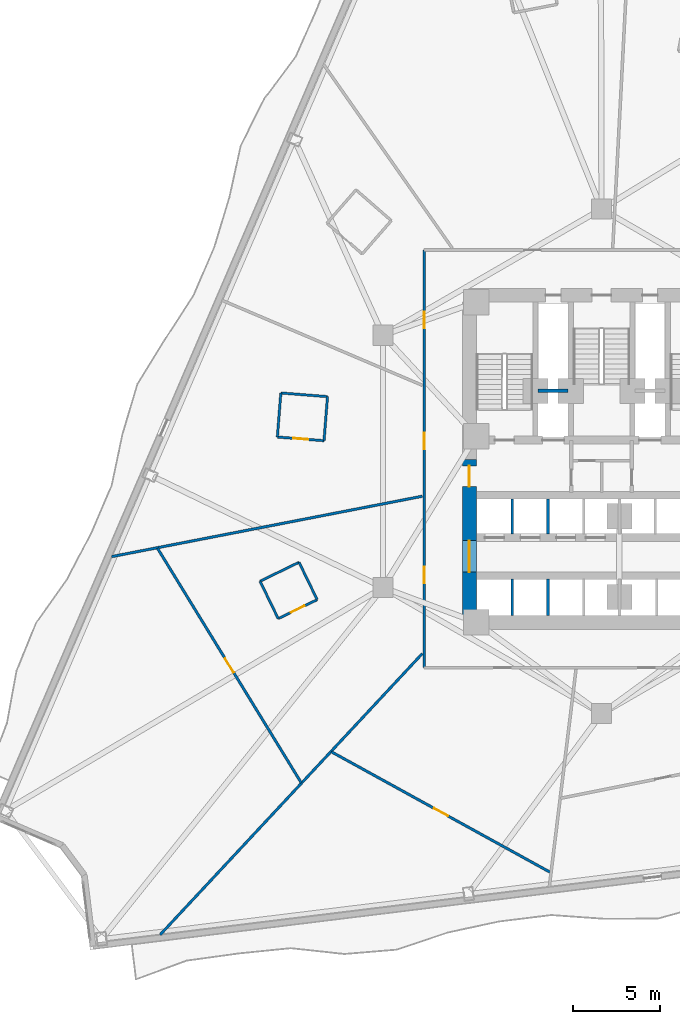
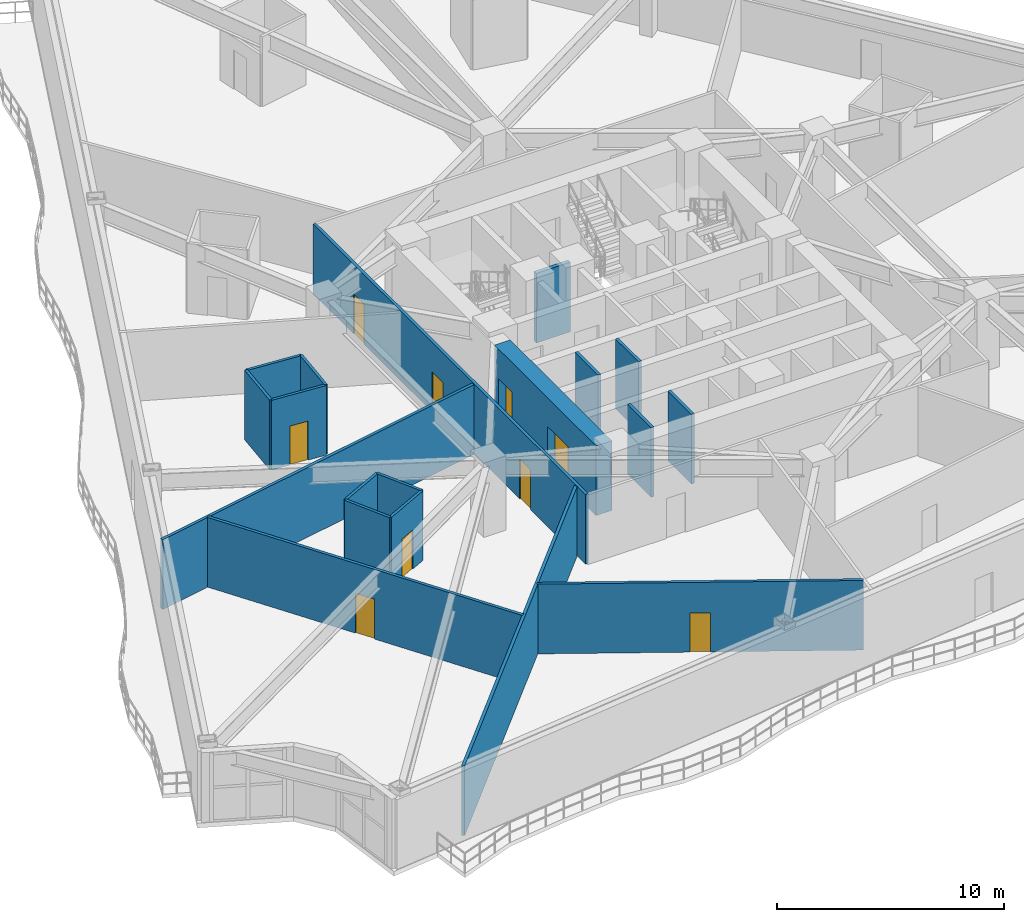
# One storey, part 7 of 17: 19 walls, 9 doors, 9 openings.
"""IFC4 building model written with IfcOpenShell, lengths in metres."""

from ifc_helpers import new_model, si_unit, direction, frame, frame_2d, origin, place, context, subcontext, project, spatial, rectangle, extrude, material, layer, layer_set, type_object, element, fill, save


model = new_model("IFC4")

# Units and contexts
model_context = context("Model", 3, precision=1e-05, world=origin(), true_north=direction((0.0, 1.0)))
body_context = subcontext(model_context, "Body", "Model", "MODEL_VIEW")
ifc_project = project(units=[si_unit("LENGTHUNIT", "METRE"), si_unit("AREAUNIT", "SQUARE_METRE"), si_unit("VOLUMEUNIT", "CUBIC_METRE"), si_unit("PLANEANGLEUNIT", "RADIAN"), si_unit("MASSUNIT", "GRAM", prefix="KILO")], contexts=[model_context])

# Site, building, storey
site_placement = place(None, origin())
site = spatial("IfcSite", under=ifc_project, at=site_placement, CompositionType="ELEMENT")
building_placement = place(site_placement, origin())
building = spatial("IfcBuilding", under=site, at=building_placement, Name="Apsidion Concourse Tower", CompositionType="ELEMENT")
storey_placement = place(building_placement, frame((0.0, 0.0, 75.0)))
storey = spatial("IfcBuildingStorey", under=building, at=storey_placement, Name="L16", CompositionType="ELEMENT", Elevation=75.0)

# Walls
ifc_material_1 = material(Name="Gypsum plasterboard partition")
ifc_layer_1 = layer(ifc_material_1, 0.139892578125)
ifc_layer_set_1 = layer_set([ifc_layer_1], Name="Gypsum plasterboard partition")
wall_type_1 = type_object("IfcWallType", Name="WL-INT-PAR-140", PredefinedType="PARTITIONING", material=ifc_layer_set_1)
wall_1_placement = place(storey_placement, frame((-17.38671875, -5.79833984375, 0.0), z_axis=(0.0, 0.0, 1.0), x_axis=(-0.899563196536, -0.436790631125, 0.0)))
element("IfcWall", 1, at=wall_1_placement, inside=storey, type_object=wall_type_1, Name="L16 Interior Partition WL-L16-POD-HKAWC-S1", PredefinedType="PARTITIONING", context=body_context, shape_type="SweptSolid", body=[
    extrude(rectangle(XDim=2.489990234375, YDim=0.139892578125, at=frame_2d((1.2451171875, 0.0))), origin(), (0.0, 0.0, 1.0), 3.75),
])
wall_2_placement = place(storey_placement, frame((-19.626708984375, -6.885986328125, 0.0), z_axis=(0.0, 0.0, 1.0), x_axis=(0.43680477619, -0.899556328141, 0.0)))
element("IfcWall", 2, at=wall_2_placement, inside=storey, type_object=wall_type_1, Name="L16 Interior Partition WL-L16-POD-HKAWC-S2", PredefinedType="PARTITIONING", context=body_context, shape_type="SweptSolid", body=[
    extrude(rectangle(XDim=2.389892578125, YDim=0.139892578125, at=frame_2d((1.19482421875, 0.0))), origin(), (0.0, 0.0, 1.0), 3.75),
])

# Wall, opening, door
wall_3_placement = place(storey_placement, frame((-18.582763671875, -9.035888671875, 0.0), z_axis=(0.0, 0.0, 1.0), x_axis=(0.899563196536, 0.436790631125, 0.0)))
wall_3 = element("IfcWall", 3, at=wall_3_placement, inside=storey, type_object=wall_type_1, Name="L16 Interior Partition WL-L16-POD-HKAWC-S3", PredefinedType="PARTITIONING", context=body_context, shape_type="SweptSolid", body=[
    extrude(rectangle(XDim=2.489990234375, YDim=0.139892578125, at=frame_2d((1.2451171875, 0.0))), origin(), (0.0, 0.0, 1.0), 3.75),
])
opening_1_placement = place(wall_3_placement, frame((0.804931640625, 0.0, 0.0)))
opening_1 = element("IfcOpeningElement", 4, at=opening_1_placement, cuts=wall_3, Name="Opening D-03L", PredefinedType="OPENING", context=body_context, shape_type="SweptSolid", body=[
    extrude(rectangle(XDim=0.8798828125, YDim=2.10009765625, at=frame_2d((0.43994140625, 1.050048828125))), frame((0.0, 0.080078125, 0.0), z_axis=(0.0, -1.0, 0.0), x_axis=(1.0, 0.0, 0.0)), (0.0, 0.0, 1.0), 0.159912109375),
])
ifc_material_2 = material(Name="Anodised aluminium EN AW-6063 T6", Category="aluminium")
door_type_1 = type_object("IfcDoorType", Name="DR-INT-D03L", OperationType="SINGLE_SWING_LEFT", PredefinedType="DOOR", material=ifc_material_2)
door_1_placement = place(opening_1_placement, origin())
door_1 = element("IfcDoor", 5, at=door_1_placement, inside=storey, type_object=door_type_1, Name="L16 Hotel Accessible WC Door HKAWC", OperationType="SINGLE_SWING_LEFT", OverallHeight=2.10009765625, OverallWidth=0.8798828125, PredefinedType="DOOR", context=body_context, shape_type="SweptSolid", body=[
    extrude(rectangle(XDim=0.8798828125, YDim=2.10009765625, at=frame_2d((0.43994140625, 1.050048828125))), frame((0.0, 0.02490234375, 0.0), z_axis=(0.0, -1.0, 0.0), x_axis=(1.0, 0.0, 0.0)), (0.0, 0.0, 1.0), 0.050048828125),
])
fill(opening_1, door_1)

# Walls
wall_4_placement = place(storey_placement, frame((-16.3427734375, -7.9482421875, 0.0), z_axis=(0.0, 0.0, 1.0), x_axis=(-0.43680477619, 0.899556328141, 0.0)))
element("IfcWall", 6, at=wall_4_placement, inside=storey, type_object=wall_type_1, Name="L16 Interior Partition WL-L16-POD-HKAWC-S4", PredefinedType="PARTITIONING", context=body_context, shape_type="SweptSolid", body=[
    extrude(rectangle(XDim=2.389892578125, YDim=0.139892578125, at=frame_2d((1.19482421875, 0.0))), origin(), (0.0, 0.0, 1.0), 3.75),
])
wall_5_placement = place(storey_placement, frame((-15.7509765625, 3.7216796875, 0.0), z_axis=(0.0, 0.0, 1.0), x_axis=(-0.996920595241, 0.078417643326, 0.0)))
element("IfcWall", 7, at=wall_5_placement, inside=storey, type_object=wall_type_1, Name="L16 Interior Partition WL-L16-POD-ENS09-S1", PredefinedType="PARTITIONING", context=body_context, shape_type="SweptSolid", body=[
    extrude(rectangle(XDim=2.68994140625, YDim=0.139892578125, at=frame_2d((1.344970703125, 0.0))), origin(), (0.0, 0.0, 1.0), 3.75),
])
wall_6_placement = place(storey_placement, frame((-18.4326171875, 3.9326171875, 0.0), z_axis=(0.0, 0.0, 1.0), x_axis=(-0.078526525655, -0.996912024588, 0.0)))
element("IfcWall", 8, at=wall_6_placement, inside=storey, type_object=wall_type_1, Name="L16 Interior Partition WL-L16-POD-ENS09-S2", PredefinedType="PARTITIONING", context=body_context, shape_type="SweptSolid", body=[
    extrude(rectangle(XDim=2.5400390625, YDim=0.139892578125, at=frame_2d((1.27001953125, 0.0))), origin(), (0.0, 0.0, 1.0), 3.75),
])

# Wall, opening, door
wall_7_placement = place(storey_placement, frame((-18.632080078125, 1.400390625, 0.0), z_axis=(0.0, 0.0, 1.0), x_axis=(0.996921153285, -0.078410548606, 0.0)))
wall_7 = element("IfcWall", 9, at=wall_7_placement, inside=storey, type_object=wall_type_1, Name="L16 Interior Partition WL-L16-POD-ENS09-S3", PredefinedType="PARTITIONING", context=body_context, shape_type="SweptSolid", body=[
    extrude(rectangle(XDim=2.690185546875, YDim=0.139892578125, at=frame_2d((1.34521484375, 0.0))), origin(), (0.0, 0.0, 1.0), 3.75),
])
opening_2_placement = place(wall_7_placement, frame((0.905029296875, 0.0, 0.0)))
opening_2 = element("IfcOpeningElement", 10, at=opening_2_placement, cuts=wall_7, Name="Opening D-03R", PredefinedType="OPENING", context=body_context, shape_type="SweptSolid", body=[
    extrude(rectangle(XDim=0.8798828125, YDim=2.10009765625, at=frame_2d((0.43994140625, 1.050048828125))), frame((0.0, 0.080078125, 0.0), z_axis=(0.0, -1.0, 0.0), x_axis=(1.0, 0.0, 0.0)), (0.0, 0.0, 1.0), 0.159912109375),
])
door_type_2 = type_object("IfcDoorType", Name="DR-INT-D03R", OperationType="SINGLE_SWING_RIGHT", PredefinedType="DOOR", material=ifc_material_2)
door_2_placement = place(opening_2_placement, origin())
door_2 = element("IfcDoor", 11, at=door_2_placement, inside=storey, type_object=door_type_2, Name="L16 Guest En-Suite Bathroom Door ENS09", OperationType="SINGLE_SWING_RIGHT", OverallHeight=2.10009765625, OverallWidth=0.8798828125, PredefinedType="DOOR", context=body_context, shape_type="SweptSolid", body=[
    extrude(rectangle(XDim=0.8798828125, YDim=2.10009765625, at=frame_2d((0.43994140625, 1.050048828125))), frame((0.0, 0.02490234375, 0.0), z_axis=(0.0, -1.0, 0.0), x_axis=(1.0, 0.0, 0.0)), (0.0, 0.0, 1.0), 0.050048828125),
])
fill(opening_2, door_2)

# Walls
wall_8_placement = place(storey_placement, frame((-15.9501953125, 1.189453125, 0.0), z_axis=(0.0, 0.0, 1.0), x_axis=(0.078431001564, 0.996919544393, 0.0)))
element("IfcWall", 12, at=wall_8_placement, inside=storey, type_object=wall_type_1, Name="L16 Interior Partition WL-L16-POD-ENS09-S4", PredefinedType="PARTITIONING", context=body_context, shape_type="SweptSolid", body=[
    extrude(rectangle(XDim=2.5400390625, YDim=0.139892578125, at=frame_2d((1.27001953125, 0.0))), origin(), (0.0, 0.0, 1.0), 3.75),
])
ifc_layer_2 = layer(ifc_material_1, 0.14990234375)
ifc_layer_set_2 = layer_set([ifc_layer_2], Name="Gypsum plasterboard partition")
wall_type_2 = type_object("IfcWallType", Name="WL-INT-PAR-150", PredefinedType="PARTITIONING", material=ifc_layer_set_2)
for number, where, z_axis, x_axis, name in (
    (13, (-5.125, -4.179931640625, 0.0), (0.0, 0.0, 1.0), (0.0, 1.0, 0.0), "L16 Interior Partition WL-L16-B1DIV-1"),
    (14, (-3.074951171875, -4.179931640625, 0.0), (0.0, 0.0, 1.0), (0.0, 1.0, 0.0), "L16 Interior Partition WL-L16-B1DIV-2"),
):
    element("IfcWall", number, at=place(storey_placement, frame(where, z_axis=z_axis, x_axis=x_axis)), inside=storey, type_object=wall_type_2, Name=name, PredefinedType="PARTITIONING", context=body_context, shape_type="SweptSolid", body=[
        extrude(rectangle(XDim=2.030029296875, YDim=0.14990234375, at=frame_2d((1.01513671875, 0.0))), origin(), (0.0, 0.0, 1.0), 3.75),
    ])
for number, where, z_axis, x_axis, name in (
    (15, (-5.125, -8.85009765625, 0.0), (0.0, 0.0, 1.0), (0.0, 1.0, 0.0), "L16 Interior Partition WL-L16-B2DIV-1"),
    (16, (-3.074951171875, -8.85009765625, 0.0), (0.0, 0.0, 1.0), (0.0, 1.0, 0.0), "L16 Interior Partition WL-L16-B2DIV-2"),
):
    element("IfcWall", number, at=place(storey_placement, frame(where, z_axis=z_axis, x_axis=x_axis)), inside=storey, type_object=wall_type_2, Name=name, PredefinedType="PARTITIONING", context=body_context, shape_type="SweptSolid", body=[
        extrude(rectangle(XDim=2.080078125, YDim=0.14990234375, at=frame_2d((1.0400390625, 0.0))), origin(), (0.0, 0.0, 1.0), 3.75),
    ])

# Wall, openings, doors
wall_9_placement = place(storey_placement, frame((-10.199951171875, -11.85009765625, 0.0), z_axis=(0.0, 0.0, 1.0), x_axis=(0.0, 1.0, 0.0)))
wall_9 = element("IfcWall", 17, at=wall_9_placement, inside=storey, type_object=wall_type_2, Name="L16 Interior Partition WL-L16-CORR-04", PredefinedType="PARTITIONING", context=body_context, shape_type="SweptSolid", body=[
    extrude(rectangle(XDim=24.0, YDim=0.14990234375, at=frame_2d((12.0, 0.0))), origin(), (0.0, 0.0, 1.0), 3.75),
])
opening_3_placement = place(wall_9_placement, frame((4.838623046875, 0.0, 0.0)))
opening_3 = element("IfcOpeningElement", 18, at=opening_3_placement, cuts=wall_9, Name="Opening D-01L", PredefinedType="OPENING", context=body_context, shape_type="SweptSolid", body=[
    extrude(rectangle(XDim=0.949951171875, YDim=2.14990234375, at=frame_2d((0.47509765625, 1.074951171875))), frame((0.0, 0.0849609375, 0.0), z_axis=(0.0, -1.0, 0.0), x_axis=(1.0, 0.0, 0.0)), (0.0, 0.0, 1.0), 0.169921875),
])
opening_4_placement = place(wall_9_placement, frame((19.50732421875, 0.0, 0.0)))
opening_4 = element("IfcOpeningElement", 19, at=opening_4_placement, cuts=wall_9, Name="Opening D-01L", PredefinedType="OPENING", context=body_context, shape_type="SweptSolid", body=[
    extrude(rectangle(XDim=0.949951171875, YDim=2.14990234375, at=frame_2d((0.47509765625, 1.074951171875))), frame((0.0, 0.0849609375, 0.0), z_axis=(0.0, -1.0, 0.0), x_axis=(1.0, 0.0, 0.0)), (0.0, 0.0, 1.0), 0.169921875),
])
opening_5_placement = place(wall_9_placement, frame((12.556884765625, 0.0, 0.0)))
opening_5 = element("IfcOpeningElement", 20, at=opening_5_placement, cuts=wall_9, Name="Opening D-01R", PredefinedType="OPENING", context=body_context, shape_type="SweptSolid", body=[
    extrude(rectangle(XDim=0.949951171875, YDim=2.14990234375, at=frame_2d((0.47509765625, 1.074951171875))), frame((0.0, 0.0849609375, 0.0), z_axis=(0.0, -1.0, 0.0), x_axis=(1.0, 0.0, 0.0)), (0.0, 0.0, 1.0), 0.169921875),
])
ifc_material_3 = material(Name="Brushed stainless steel 316", Category="steel")
door_type_3 = type_object("IfcDoorType", Name="DR-INT-D01L", OperationType="SINGLE_SWING_LEFT", PredefinedType="DOOR", material=ifc_material_3)
door_3_placement = place(opening_3_placement, origin())
door_3 = element("IfcDoor", 21, at=door_3_placement, inside=storey, type_object=door_type_3, Name="L16 Corridor Entry Door 01", OperationType="SINGLE_SWING_LEFT", OverallHeight=2.14990234375, OverallWidth=0.949951171875, PredefinedType="DOOR", context=body_context, shape_type="SweptSolid", body=[
    extrude(rectangle(XDim=0.949951171875, YDim=2.14990234375, at=frame_2d((0.47509765625, 1.074951171875))), frame((0.0, 0.02490234375, 0.0), z_axis=(0.0, -1.0, 0.0), x_axis=(1.0, 0.0, 0.0)), (0.0, 0.0, 1.0), 0.050048828125),
])
fill(opening_3, door_3)
door_4_placement = place(opening_4_placement, origin())
door_4 = element("IfcDoor", 22, at=door_4_placement, inside=storey, type_object=door_type_3, Name="L16 Corridor Entry Door 09", OperationType="SINGLE_SWING_LEFT", OverallHeight=2.14990234375, OverallWidth=0.949951171875, PredefinedType="DOOR", context=body_context, shape_type="SweptSolid", body=[
    extrude(rectangle(XDim=0.949951171875, YDim=2.14990234375, at=frame_2d((0.47509765625, 1.074951171875))), frame((0.0, 0.02490234375, 0.0), z_axis=(0.0, -1.0, 0.0), x_axis=(1.0, 0.0, 0.0)), (0.0, 0.0, 1.0), 0.050048828125),
])
fill(opening_4, door_4)
door_type_4 = type_object("IfcDoorType", Name="DR-INT-D01R", OperationType="SINGLE_SWING_RIGHT", PredefinedType="DOOR", material=ifc_material_3)
door_5_placement = place(opening_5_placement, origin())
door_5 = element("IfcDoor", 23, at=door_5_placement, inside=storey, type_object=door_type_4, Name="L16 Corridor Entry Door 10", OperationType="SINGLE_SWING_RIGHT", OverallHeight=2.14990234375, OverallWidth=0.949951171875, PredefinedType="DOOR", context=body_context, shape_type="SweptSolid", body=[
    extrude(rectangle(XDim=0.949951171875, YDim=2.14990234375, at=frame_2d((0.47509765625, 1.074951171875))), frame((0.0, 0.02490234375, 0.0), z_axis=(0.0, -1.0, 0.0), x_axis=(1.0, 0.0, 0.0)), (0.0, 0.0, 1.0), 0.050048828125),
])
fill(opening_5, door_5)

# Walls
wall_10_placement = place(storey_placement, frame((-10.304931640625, -2.003173828125, 0.0), z_axis=(0.0, 0.0, 1.0), x_axis=(-0.981628312009, -0.19080318934, 0.0)))
element("IfcWall", 24, at=wall_10_placement, inside=storey, type_object=wall_type_2, Name="L16 Interior Partition WL-L16-RAD-06-1", PredefinedType="PARTITIONING", context=body_context, shape_type="SweptSolid", body=[
    extrude(rectangle(XDim=18.1875, YDim=0.14990234375, at=frame_2d((9.09375, 0.0))), origin(), (0.0, 0.0, 1.0), 3.75),
])
wall_11_placement = place(storey_placement, frame((-10.304931640625, -11.05078125, 0.0), z_axis=(0.0, 0.0, 1.0), x_axis=(-0.682005964539, -0.731346610256, 0.0)))
element("IfcWall", 25, at=wall_11_placement, inside=storey, type_object=wall_type_2, Name="L16 Interior Partition WL-L16-RAD-07-1", PredefinedType="PARTITIONING", context=body_context, shape_type="SweptSolid", body=[
    extrude(rectangle(XDim=22.093017578125, YDim=0.14990234375, at=frame_2d((11.04638671875, 0.0))), origin(), (0.0, 0.0, 1.0), 3.75),
])

# Wall, opening, door
wall_12_placement = place(storey_placement, frame((-25.5244140625, -4.98681640625, 0.0), z_axis=(0.0, 0.0, 1.0), x_axis=(0.522554094718, -0.852606133038, 0.0)))
wall_12 = element("IfcWall", 26, at=wall_12_placement, inside=storey, type_object=wall_type_2, Name="L16 Interior Partition WL-L16-CHD-HKWC", PredefinedType="PARTITIONING", context=body_context, shape_type="SweptSolid", body=[
    extrude(rectangle(XDim=15.81640625, YDim=0.14990234375, at=frame_2d((7.908203125, 0.0))), origin(), (0.0, 0.0, 1.0), 3.75),
])
opening_6_placement = place(wall_12_placement, frame((7.43310546875, 0.0, 0.0)))
opening_6 = element("IfcOpeningElement", 27, at=opening_6_placement, cuts=wall_12, Name="Opening D-04R", PredefinedType="OPENING", context=body_context, shape_type="SweptSolid", body=[
    extrude(rectangle(XDim=0.949951171875, YDim=2.14990234375, at=frame_2d((0.47509765625, 1.074951171875))), frame((0.0, 0.0849609375, 0.0), z_axis=(0.0, -1.0, 0.0), x_axis=(1.0, 0.0, 0.0)), (0.0, 0.0, 1.0), 0.169921875),
])
door_type_5 = type_object("IfcDoorType", Name="DR-INT-D04R", OperationType="SINGLE_SWING_RIGHT", PredefinedType="DOOR", material=ifc_material_3)
door_6_placement = place(opening_6_placement, origin())
door_6 = element("IfcDoor", 28, at=door_6_placement, inside=storey, type_object=door_type_5, Name="L16 Suite Connecting Door HKWC", OperationType="SINGLE_SWING_RIGHT", OverallHeight=2.14990234375, OverallWidth=0.949951171875, PredefinedType="DOOR", context=body_context, shape_type="SweptSolid", body=[
    extrude(rectangle(XDim=0.949951171875, YDim=2.14990234375, at=frame_2d((0.47509765625, 1.074951171875))), frame((0.0, 0.02490234375, 0.0), z_axis=(0.0, -1.0, 0.0), x_axis=(1.0, 0.0, 0.0)), (0.0, 0.0, 1.0), 0.050048828125),
])
fill(opening_6, door_6)

wall_13_placement = place(storey_placement, frame((-15.5283203125, -16.688720703125, 0.0), z_axis=(0.0, 0.0, 1.0), x_axis=(0.875978607683, -0.482349954786, 0.0)))
wall_13 = element("IfcWall", 29, at=wall_13_placement, inside=storey, type_object=wall_type_2, Name="L16 Interior Partition WL-L16-CHD-HXS01", PredefinedType="PARTITIONING", context=body_context, shape_type="SweptSolid", body=[
    extrude(rectangle(XDim=14.38623046875, YDim=0.14990234375, at=frame_2d((7.193115234375, 0.0))), origin(), (0.0, 0.0, 1.0), 3.75),
])
opening_7_placement = place(wall_13_placement, frame((6.7431640625, 0.0, 0.0)))
opening_7 = element("IfcOpeningElement", 30, at=opening_7_placement, cuts=wall_13, Name="Opening D-02L", PredefinedType="OPENING", context=body_context, shape_type="SweptSolid", body=[
    extrude(rectangle(XDim=0.89990234375, YDim=2.10009765625, at=frame_2d((0.449951171875, 1.050048828125))), frame((0.0, 0.0849609375, 0.0), z_axis=(0.0, -1.0, 0.0), x_axis=(1.0, 0.0, 0.0)), (0.0, 0.0, 1.0), 0.169921875),
])
door_type_6 = type_object("IfcDoorType", Name="DR-INT-D02L", OperationType="SINGLE_SWING_LEFT", PredefinedType="DOOR", material=ifc_material_2)
door_7_placement = place(opening_7_placement, origin())
door_7 = element("IfcDoor", 31, at=door_7_placement, inside=storey, type_object=door_type_6, Name="L16 Suite Connecting Door HXS01", OperationType="SINGLE_SWING_LEFT", OverallHeight=2.10009765625, OverallWidth=0.89990234375, PredefinedType="DOOR", context=body_context, shape_type="SweptSolid", body=[
    extrude(rectangle(XDim=0.89990234375, YDim=2.10009765625, at=frame_2d((0.449951171875, 1.050048828125))), frame((0.0, 0.02490234375, 0.0), z_axis=(0.0, -1.0, 0.0), x_axis=(1.0, 0.0, 0.0)), (0.0, 0.0, 1.0), 0.050048828125),
])
fill(opening_7, door_7)

# Wall
ifc_layer_3 = layer(ifc_material_1, 0.199951171875)
ifc_layer_set_3 = layer_set([ifc_layer_3], Name="Gypsum plasterboard partition")
wall_type_3 = type_object("IfcWallType", Name="WL-INT-PAR-200", PredefinedType="PARTITIONING", material=ifc_layer_set_3)
wall_14_placement = place(storey_placement, frame((-3.64990234375, 4.050048828125, 0.0), z_axis=(0.0, 0.0, 1.0), x_axis=(1.0, 0.0, 0.0)))
element("IfcWall", 32, at=wall_14_placement, inside=storey, type_object=wall_type_3, Name="L16 Interior Partition WL-L16-FF1-N", PredefinedType="PARTITIONING", context=body_context, shape_type="SweptSolid", body=[
    extrude(rectangle(XDim=1.72998046875, YDim=0.199951171875, at=frame_2d((0.864990234375, 0.0))), origin(), (0.0, 0.0, 1.0), 3.75),
])

# Wall, openings, doors
ifc_material_4 = material(Name="Concrete C60/75", Category="concrete")
ifc_layer_4 = layer(ifc_material_4, 0.800048828125)
ifc_layer_set_4 = layer_set([ifc_layer_4], Name="Concrete C60/75")
wall_type_4 = type_object("IfcWallType", Name="WL-SH-800", PredefinedType="SHEAR", material=ifc_layer_set_4)
wall_15_placement = place(storey_placement, frame((-7.60009765625, -8.85009765625, 0.0), z_axis=(0.0, 0.0, 1.0), x_axis=(0.0, 1.0, 0.0)))
wall_15 = element("IfcWall", 33, at=wall_15_placement, inside=storey, type_object=wall_type_4, Name="L16 Central Core Shear Wall WS", PredefinedType="SHEAR", context=body_context, shape_type="SweptSolid", body=[
    extrude(rectangle(XDim=8.9501953125, YDim=0.800048828125, at=frame_2d((4.47509765625, 0.0))), origin(), (0.0, 0.0, 1.0), 3.75),
])
opening_8_placement = place(wall_15_placement, frame((2.489990234375, 0.0, 0.0)))
opening_8 = element("IfcOpeningElement", 34, at=opening_8_placement, cuts=wall_15, Name="Opening D-06D", PredefinedType="OPENING", context=body_context, shape_type="SweptSolid", body=[
    extrude(rectangle(XDim=1.800048828125, YDim=2.199951171875, at=frame_2d((0.89990234375, 1.10009765625))), frame((0.0, 0.41015625, 0.0), z_axis=(0.0, -1.0, 0.0), x_axis=(1.0, 0.0, 0.0)), (0.0, 0.0, 1.0), 0.820068359375),
])
opening_9_placement = place(wall_15_placement, frame((7.39990234375, 0.0, 0.0)))
opening_9 = element("IfcOpeningElement", 35, at=opening_9_placement, cuts=wall_15, Name="Opening D-FFL", PredefinedType="OPENING", context=body_context, shape_type="SweptSolid", body=[
    extrude(rectangle(XDim=1.199951171875, YDim=2.14990234375, at=frame_2d((0.60009765625, 1.074951171875))), frame((0.0, 0.41015625, 0.0), z_axis=(0.0, -1.0, 0.0), x_axis=(1.0, 0.0, 0.0)), (0.0, 0.0, 1.0), 0.820068359375),
])
door_type_7 = type_object("IfcDoorType", Name="DR-INT-D06D", OperationType="DOUBLE_DOOR_SINGLE_SWING", PredefinedType="DOOR", material=ifc_material_3)
door_8_placement = place(opening_8_placement, origin())
door_8 = element("IfcDoor", 36, at=door_8_placement, inside=storey, type_object=door_type_7, Name="L16 Passenger Lift Lobby WS Portal Door", OperationType="DOUBLE_DOOR_SINGLE_SWING", OverallHeight=2.199951171875, OverallWidth=1.800048828125, PredefinedType="DOOR", context=body_context, shape_type="SweptSolid", body=[
    extrude(rectangle(XDim=1.800048828125, YDim=2.199951171875, at=frame_2d((0.89990234375, 1.10009765625))), frame((0.0, 0.02490234375, 0.0), z_axis=(0.0, -1.0, 0.0), x_axis=(1.0, 0.0, 0.0)), (0.0, 0.0, 1.0), 0.050048828125),
])
fill(opening_8, door_8)
door_type_8 = type_object("IfcDoorType", Name="DR-INT-FFL", OperationType="SINGLE_SWING_LEFT", PredefinedType="DOOR", material=ifc_material_3)
door_9_placement = place(opening_9_placement, origin())
door_9 = element("IfcDoor", 37, at=door_9_placement, inside=storey, type_object=door_type_8, Name="L16 Firefighting Lift Lobby FF1 Door", OperationType="SINGLE_SWING_LEFT", OverallHeight=2.14990234375, OverallWidth=1.199951171875, PredefinedType="DOOR", context=body_context, shape_type="SweptSolid", body=[
    extrude(rectangle(XDim=1.199951171875, YDim=2.14990234375, at=frame_2d((0.60009765625, 1.074951171875))), frame((0.0, 0.02490234375, 0.0), z_axis=(0.0, -1.0, 0.0), x_axis=(1.0, 0.0, 0.0)), (0.0, 0.0, 1.0), 0.050048828125),
])
fill(opening_9, door_9)

save(model, "model.ifc")
